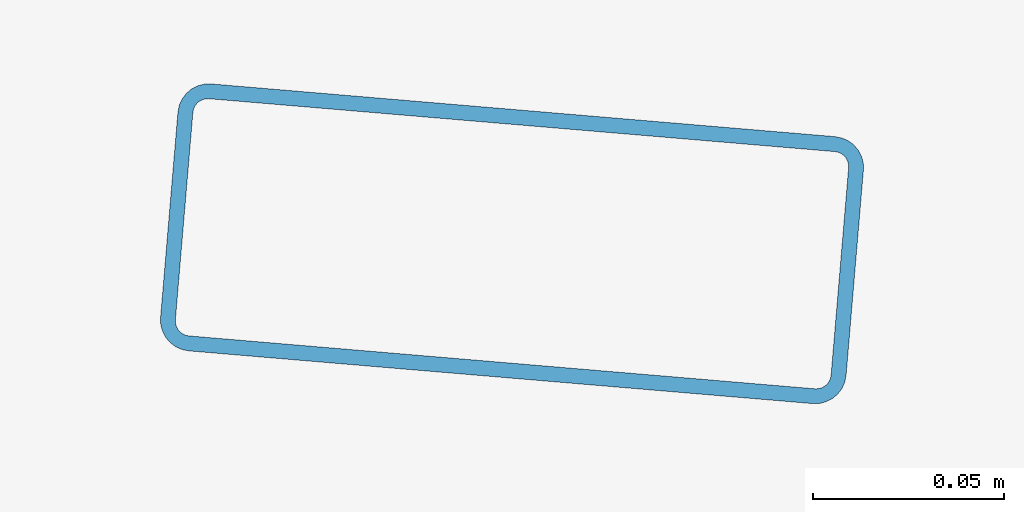
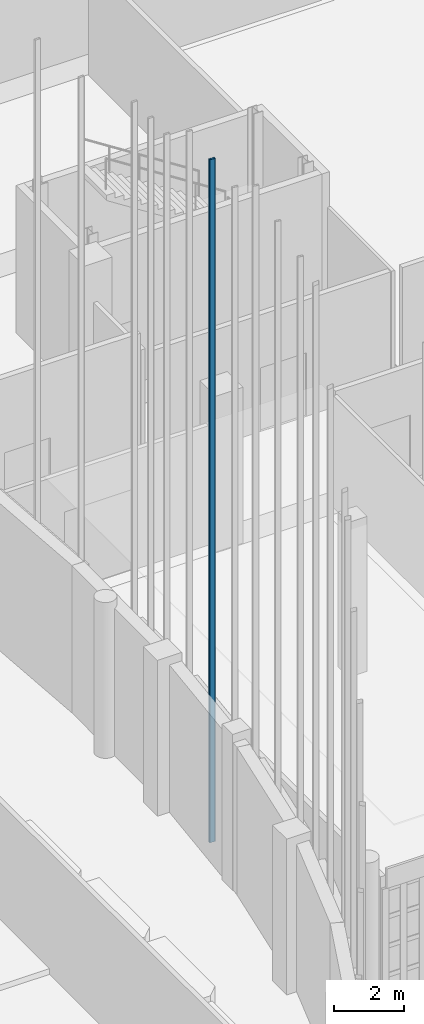
# One storey, part 118 of 372: 1 member.
"""IFC4 building model written with IfcOpenShell, lengths in metres."""

from ifc_helpers import new_model, si_unit, direction, frame, origin, origin_2d, place, context, subcontext, project, spatial, hollow_rectangle, extrude, material, material_profile, profile_set, type_object, element, save


model = new_model("IFC4")

# Units and contexts
model_context = context("Model", 3, precision=1e-05, world=origin(), true_north=direction((0.0, 1.0)))
body_context = subcontext(model_context, "Body", "Model", "MODEL_VIEW")
ifc_project = project(units=[si_unit("LENGTHUNIT", "METRE"), si_unit("AREAUNIT", "SQUARE_METRE"), si_unit("VOLUMEUNIT", "CUBIC_METRE"), si_unit("PLANEANGLEUNIT", "RADIAN"), si_unit("MASSUNIT", "GRAM", prefix="KILO")], contexts=[model_context])

# Site, building, storey
site_placement = place(None, origin())
site = spatial("IfcSite", under=ifc_project, at=site_placement, CompositionType="ELEMENT")
building_placement = place(site_placement, origin())
building = spatial("IfcBuilding", under=site, at=building_placement, Name="Kaelora Sail Theatre", CompositionType="ELEMENT")
storey_placement = place(building_placement, origin())
storey = spatial("IfcBuildingStorey", under=building, at=storey_placement, Name="L00", CompositionType="ELEMENT", Elevation=0.0)

# Member
ifc_material = material(Name="Anodised aluminium 6063-T6", Category="aluminium")
ifc_material_profile = material_profile(ifc_material, hollow_rectangle(XDim=0.070068359375, YDim=0.179931640625, WallThickness=0.00390625, InnerFilletRadius=0.00390625, OuterFilletRadius=0.008056640625, at=origin_2d()), Name="ALU-MULL 70x180x4")
ifc_profile_set = profile_set([ifc_material_profile], Name="Anodised aluminium 6063-T6")
member_type = type_object("IfcMemberType", Name="ARC-MEM-PST-160", PredefinedType="POST", material=ifc_profile_set)
member_placement = place(storey_placement, frame((58.602294921875, 48.2265625, 0.0), z_axis=(0.0, 0.0, 1.0), x_axis=(-0.084199594279, -0.996448909038, 0.0)))
element("IfcMember", 1, at=member_placement, inside=storey, type_object=member_type, Name="Main Theatre Sail Drum solar louvre vertical support post C3-2", PredefinedType="POST", context=body_context, shape_type="SweptSolid", body=[
    extrude(hollow_rectangle(XDim=0.070068359375, YDim=0.179931640625, WallThickness=0.00390625, InnerFilletRadius=0.00390625, OuterFilletRadius=0.008056640625, at=origin_2d()), origin(), (0.0, 0.0, 1.0), 23.66259765625),
])

save(model, "model.ifc")
